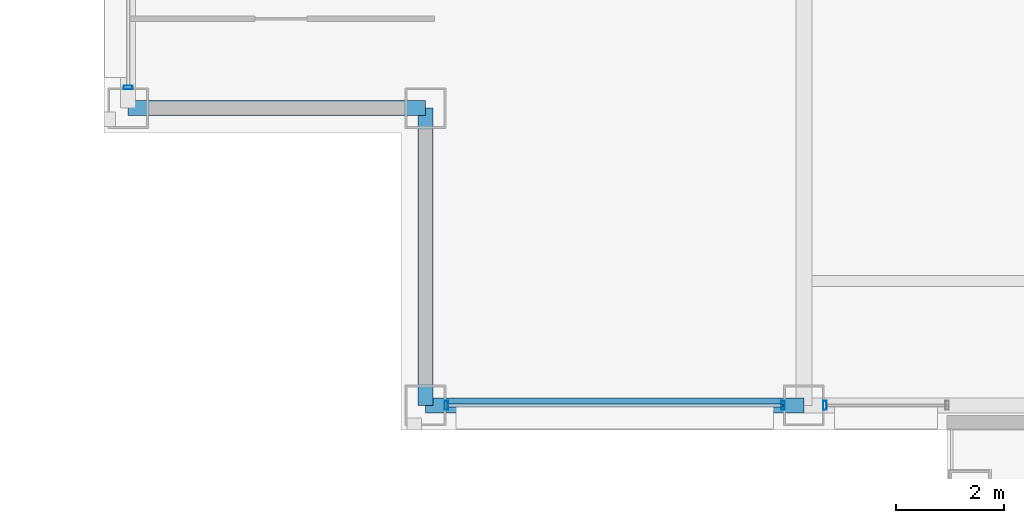
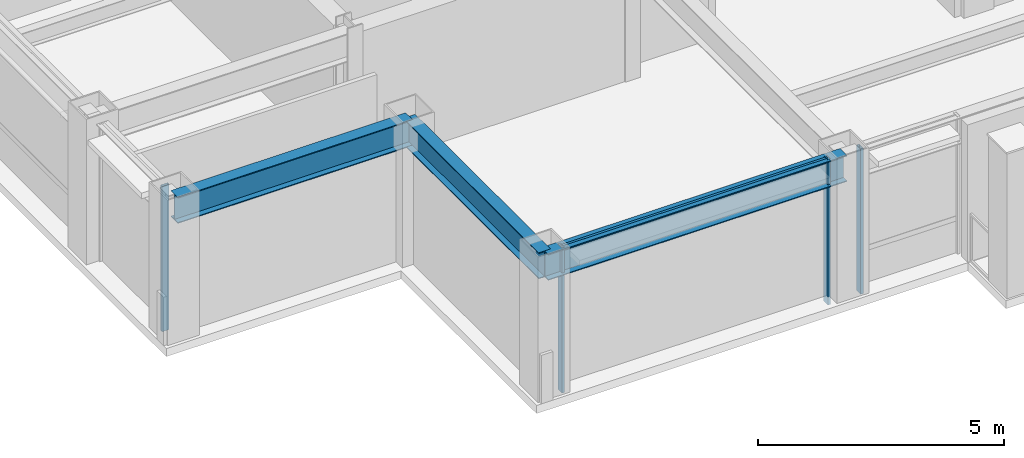
# One storey, part 2 of 28: 5 members, 3 beams, 3 elements without a shape of their own.
"""IFC4 building model written with IfcOpenShell, lengths in metres."""

from ifc_helpers import new_model, si_unit, direction, frame, origin, origin_2d, place, context, subcontext, project, spatial, hollow_rectangle, i_section, extrude, material, layer, layer_set, material_profile, profile_set, type_object, element, aggregate, save


model = new_model("IFC4")

# Units and contexts
model_context = context("Model", 3, precision=1e-05, world=origin(), true_north=direction((0.0, 1.0)))
body_context = subcontext(model_context, "Body", "Model", "MODEL_VIEW")
ifc_project = project(units=[si_unit("LENGTHUNIT", "METRE"), si_unit("AREAUNIT", "SQUARE_METRE"), si_unit("VOLUMEUNIT", "CUBIC_METRE"), si_unit("PLANEANGLEUNIT", "RADIAN"), si_unit("MASSUNIT", "GRAM", prefix="KILO")], contexts=[model_context])

# Site, building, storey
site_placement = place(None, origin())
site = spatial("IfcSite", under=ifc_project, at=site_placement, CompositionType="ELEMENT")
building_placement = place(site_placement, origin())
building = spatial("IfcBuilding", under=site, at=building_placement, Name="Brelmoor Portico Tower", CompositionType="ELEMENT")
storey_placement = place(building_placement, frame((0.0, 0.0, 165.89990234375)))
storey = spatial("IfcBuildingStorey", under=building, at=storey_placement, Name="L43", CompositionType="ELEMENT", Elevation=165.89990234375)

# Beams
ifc_material_1 = material(Name="Steel Q355B", Category="steel")
ifc_material_profile_1 = material_profile(ifc_material_1, i_section(OverallWidth=0.280029296875, OverallDepth=0.64990234375, WebThickness=0.012939453125, FlangeThickness=0.02197265625, at=origin_2d()), Name="HN 650x280x13x22")
ifc_profile_set_1 = profile_set([ifc_material_profile_1], Name="Steel Q355B")
beam_type = type_object("IfcBeamType", Name="BM-SP-650", PredefinedType="SPANDREL", material=ifc_profile_set_1)
beam_placement = place(storey_placement, frame((-15.050048828125, -18.550048828125, 3.0751953125), z_axis=(1.0, 0.0, 0.0), x_axis=(0.0, 1.0, 0.0)))
element("IfcBeam", 1, at=beam_placement, inside=storey, type_object=beam_type, Name="L43 Perimeter Spandrel Beam SP-01", PredefinedType="SPANDREL", context=body_context, shape_type="SweptSolid", body=[
    extrude(i_section(OverallWidth=0.280029296875, OverallDepth=0.64990234375, WebThickness=0.012939453125, FlangeThickness=0.02197265625, at=origin_2d()), origin(), (0.0, 0.0, 1.0), 7.0),
])
for number, where, z_axis, x_axis, name in (
    (2, (-20.550048828125, -13.050048828125, 3.0751953125), (1.0, 0.0, 0.0), (0.0, 1.0, 0.0), "L43 Perimeter Spandrel Beam SP-04"),
    (3, (-15.050048828125, -18.550048828125, 3.0751953125), (0.0, 1.0, 0.0), (-1.0, 0.0, 0.0), "L43 Perimeter Spandrel Beam SP-14"),
):
    element("IfcBeam", number, at=place(storey_placement, frame(where, z_axis=z_axis, x_axis=x_axis)), inside=storey, type_object=beam_type, Name=name, PredefinedType="SPANDREL", context=body_context, shape_type="SweptSolid", body=[
        extrude(i_section(OverallWidth=0.280029296875, OverallDepth=0.64990234375, WebThickness=0.012939453125, FlangeThickness=0.02197265625, at=origin_2d()), origin(), (0.0, 0.0, 1.0), 5.5),
    ])

# Curtain wall, members
ifc_material_2 = material(Name="Anodised Aluminium Alloy 6063-T6", Category="aluminium")
ifc_layer_1 = layer(ifc_material_2, 0.179931640625)
ifc_layer_set_1 = layer_set([ifc_layer_1], Name="Anodised Aluminium Alloy 6063-T6")
curtain_wall_type_1 = type_object("IfcCurtainWallType", Name="CW-TOWER-Z3-XB", PredefinedType="NOTDEFINED", material=ifc_layer_set_1)
curtain_wall_1_placement = place(storey_placement, origin())
curtain_wall_1 = element("IfcCurtainWall", 4, at=curtain_wall_1_placement, inside=storey, type_object=curtain_wall_type_1, Name="L43 Curtain Wall CW-L43-1L-1", PredefinedType="NOTDEFINED")
ifc_material_profile_2 = material_profile(ifc_material_2, hollow_rectangle(XDim=0.06494140625, YDim=0.1650390625, WallThickness=0.00390625, at=origin_2d()), Name="ALU MULLION 65x165")
ifc_profile_set_2 = profile_set([ifc_material_profile_2], Name="Anodised Aluminium Alloy 6063-T6")
member_type_1 = type_object("IfcMemberType", Name="MB-CW-MULL-165", PredefinedType="MULLION", material=ifc_profile_set_2)
member_1_placement = place(storey_placement, frame((-14.6650390625, -18.550048828125, -0.199951171875), z_axis=(0.0, 0.0, 1.0), x_axis=(1.0, 0.0, 0.0)))
member_1 = element("IfcMember", 5, at=member_1_placement, type_object=member_type_1, Name="CW-L43-1L-1 Mullion 00", PredefinedType="MULLION", context=body_context, shape_type="SweptSolid", body=[
    extrude(hollow_rectangle(XDim=0.06494140625, YDim=0.1650390625, WallThickness=0.00390625, at=origin_2d()), origin(), (0.0, 0.0, 1.0), 3.60009765625),
])
member_2_placement = place(storey_placement, frame((-8.43505859375, -18.550048828125, -0.199951171875), z_axis=(0.0, 0.0, 1.0), x_axis=(1.0, 0.0, 0.0)))
member_2 = element("IfcMember", 6, at=member_2_placement, type_object=member_type_1, Name="CW-L43-1L-1 Mullion 01", PredefinedType="MULLION", context=body_context, shape_type="SweptSolid", body=[
    extrude(hollow_rectangle(XDim=0.06494140625, YDim=0.1650390625, WallThickness=0.00390625, at=origin_2d()), origin(), (0.0, 0.0, 1.0), 3.60009765625),
])

# Curtain wall, member
ifc_layer_2 = layer(ifc_material_2, 0.179931640625)
ifc_layer_set_2 = layer_set([ifc_layer_2], Name="Anodised Aluminium Alloy 6063-T6")
curtain_wall_type_2 = type_object("IfcCurtainWallType", Name="CW-TOWER-Z3", PredefinedType="NOTDEFINED", material=ifc_layer_set_2)
curtain_wall_2_placement = place(storey_placement, origin())
curtain_wall_2 = element("IfcCurtainWall", 7, at=curtain_wall_2_placement, inside=storey, type_object=curtain_wall_type_2, Name="L43 Curtain Wall CW-L43-1L-2", PredefinedType="NOTDEFINED")
member_3_placement = place(storey_placement, frame((-7.6650390625, -18.550048828125, -0.199951171875), z_axis=(0.0, 0.0, 1.0), x_axis=(1.0, 0.0, 0.0)))
member_3 = element("IfcMember", 8, at=member_3_placement, type_object=member_type_1, Name="CW-L43-1L-2 Mullion 00", PredefinedType="MULLION", context=body_context, shape_type="SweptSolid", body=[
    extrude(hollow_rectangle(XDim=0.06494140625, YDim=0.1650390625, WallThickness=0.00390625, at=origin_2d()), origin(), (0.0, 0.0, 1.0), 3.60009765625),
])
aggregate(curtain_wall_2, [member_3])

curtain_wall_3_placement = place(storey_placement, origin())
curtain_wall_3 = element("IfcCurtainWall", 9, at=curtain_wall_3_placement, inside=storey, type_object=curtain_wall_type_1, Name="L43 Curtain Wall CW-L43-3L-1", PredefinedType="NOTDEFINED")
member_4_placement = place(storey_placement, frame((-20.550048828125, -12.6650390625, -0.199951171875), z_axis=(0.0, 0.0, 1.0), x_axis=(0.0, 1.0, 0.0)))
member_4 = element("IfcMember", 10, at=member_4_placement, type_object=member_type_1, Name="CW-L43-3L-1 Mullion 00", PredefinedType="MULLION", context=body_context, shape_type="SweptSolid", body=[
    extrude(hollow_rectangle(XDim=0.06494140625, YDim=0.1650390625, WallThickness=0.00390625, at=origin_2d()), origin(), (0.0, 0.0, 1.0), 3.60009765625),
])
aggregate(curtain_wall_3, [member_4])

# Member
ifc_material_profile_3 = material_profile(ifc_material_2, hollow_rectangle(XDim=0.06005859375, YDim=0.125, WallThickness=0.00341796875, at=origin_2d()), Name="ALU TRANSOM 60x125")
ifc_profile_set_3 = profile_set([ifc_material_profile_3], Name="Anodised Aluminium Alloy 6063-T6")
member_type_2 = type_object("IfcMemberType", Name="MB-CW-TRAN-125", PredefinedType="USERDEFINED", material=ifc_profile_set_3)
member_5_placement = place(storey_placement, frame((-14.6650390625, -18.550048828125, 3.337646484375), z_axis=(1.0, 0.0, 0.0), x_axis=(0.0, 1.0, 0.0)))
member_5 = element("IfcMember", 11, at=member_5_placement, type_object=member_type_2, Name="CW-L43-1L-1 Transom 1-00", ObjectType="TRANSOM", PredefinedType="USERDEFINED", context=body_context, shape_type="SweptSolid", body=[
    extrude(hollow_rectangle(XDim=0.06005859375, YDim=0.125, WallThickness=0.00341796875, at=origin_2d()), origin(), (0.0, 0.0, 1.0), 6.22998046875),
])

aggregate(curtain_wall_1, [member_1, member_2, member_5])

save(model, "model.ifc")
